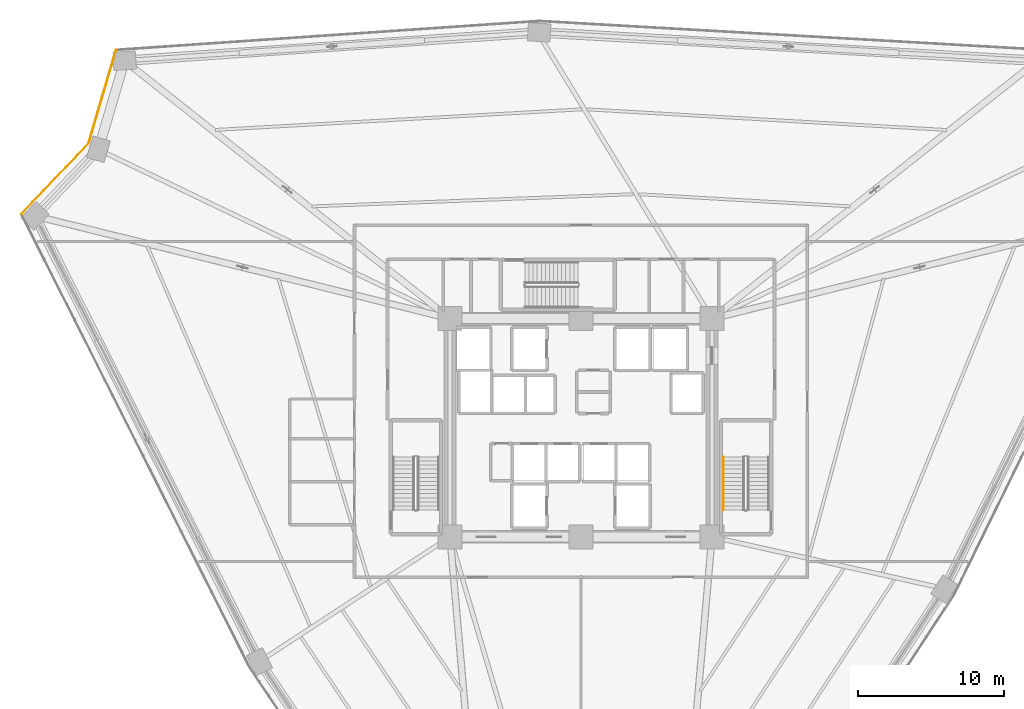
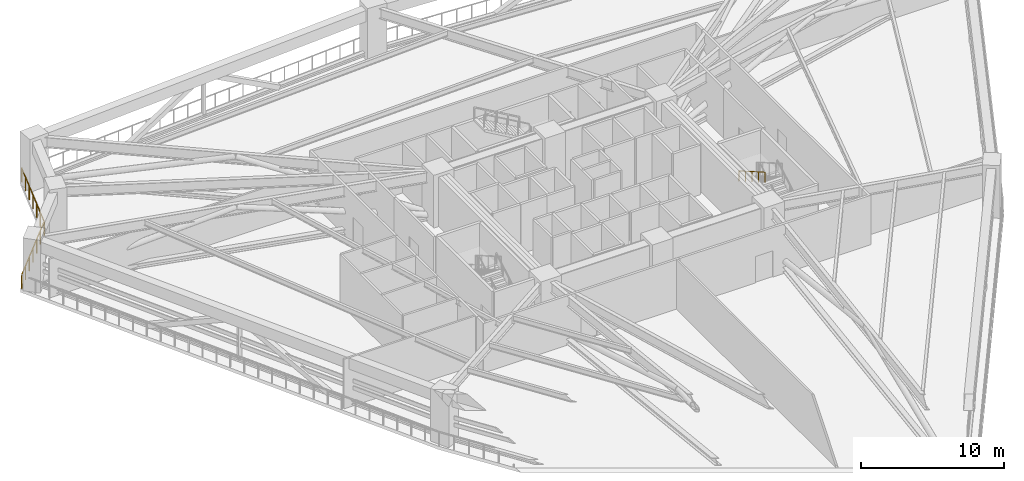
# One storey, part 23 of 25: 3 railings.
"""IFC4 building model written with IfcOpenShell, lengths in metres."""

from ifc_helpers import new_model, si_unit, direction, frame, origin, origin_2d, place, context, subcontext, project, spatial, rectangle, extrude, material, type_object, element, save


model = new_model("IFC4")

# Units and contexts
model_context = context("Model", 3, precision=1e-05, world=origin(), true_north=direction((0.0, 1.0)))
body_context = subcontext(model_context, "Body", "Model", "MODEL_VIEW")
ifc_project = project(units=[si_unit("LENGTHUNIT", "METRE"), si_unit("AREAUNIT", "SQUARE_METRE"), si_unit("VOLUMEUNIT", "CUBIC_METRE"), si_unit("PLANEANGLEUNIT", "RADIAN"), si_unit("MASSUNIT", "GRAM", prefix="KILO")], contexts=[model_context])

# Site, building, storey
site_placement = place(None, origin())
site = spatial("IfcSite", under=ifc_project, at=site_placement, CompositionType="ELEMENT")
building_placement = place(site_placement, origin())
building = spatial("IfcBuilding", under=site, at=building_placement, Name="Liaohun Quay Tower", CompositionType="ELEMENT")
storey_placement = place(building_placement, frame((0.0, 0.0, 93.0)))
storey = spatial("IfcBuildingStorey", under=building, at=storey_placement, Name="L24", CompositionType="ELEMENT", Elevation=93.0)

# Railings
ifc_material_1 = material(Name="Galvanised and powder-coated steel", Category="steel")
railing_type_1 = type_object("IfcRailingType", Name="RLG-GUARD-EXT", PredefinedType="GUARDRAIL", material=ifc_material_1)
railing_1_placement = place(storey_placement, frame((21.548095703125, 68.693115234375, 0.0)))
element("IfcRailing", 1, at=railing_1_placement, inside=storey, type_object=railing_type_1, Name="L24 Open Refuge Band Perimeter Guardrail 03", PredefinedType="GUARDRAIL", context=body_context, shape_type="SweptSolid", body=[
    extrude(rectangle(XDim=0.048095703125, YDim=0.048095703125, at=origin_2d()), frame((0.0, 0.0, 1.17578125), z_axis=(0.68938715047, 0.724393095472, 0.0), x_axis=(-0.724393095472, 0.68938715047, 0.0)), (0.0, 0.0, 1.0), 6.688232421875),
    extrude(rectangle(XDim=0.0419921875, YDim=0.0419921875, at=origin_2d()), origin(), (0.0, 0.0, 1.0), 1.15185546875),
    extrude(rectangle(XDim=0.0419921875, YDim=0.0419921875, at=origin_2d()), frame((0.7685546875, 0.8076171875, 0.0)), (0.0, 0.0, 1.0), 1.15185546875),
    extrude(rectangle(XDim=0.0419921875, YDim=0.0419921875, at=origin_2d()), frame((1.536865234375, 1.614990234375, 0.0)), (0.0, 0.0, 1.0), 1.15185546875),
    extrude(rectangle(XDim=0.0419921875, YDim=0.0419921875, at=origin_2d()), frame((2.305419921875, 2.42236328125, 0.0)), (0.0, 0.0, 1.0), 1.15185546875),
    extrude(rectangle(XDim=0.0419921875, YDim=0.0419921875, at=origin_2d()), frame((3.073974609375, 3.22998046875, 0.0)), (0.0, 0.0, 1.0), 1.15185546875),
    extrude(rectangle(XDim=0.0419921875, YDim=0.0419921875, at=origin_2d()), frame((3.84228515625, 4.03759765625, 0.0)), (0.0, 0.0, 1.0), 1.15185546875),
    extrude(rectangle(XDim=0.0419921875, YDim=0.0419921875, at=origin_2d()), frame((4.61083984375, 4.844970703125, 0.0)), (0.0, 0.0, 1.0), 1.15185546875),
])
railing_2_placement = place(storey_placement, frame((26.158935546875, 73.5380859375, 0.0)))
element("IfcRailing", 2, at=railing_2_placement, inside=storey, type_object=railing_type_1, Name="L24 Open Refuge Band Perimeter Guardrail 04", PredefinedType="GUARDRAIL", context=body_context, shape_type="SweptSolid", body=[
    extrude(rectangle(XDim=0.048095703125, YDim=0.048095703125, at=origin_2d()), frame((0.0, 0.0, 1.17578125), z_axis=(0.282723529941, 0.959201441626, 0.0), x_axis=(-0.959201441626, 0.282723529941, 0.0)), (0.0, 0.0, 1.0), 6.68896484375),
    extrude(rectangle(XDim=0.0419921875, YDim=0.0419921875, at=origin_2d()), origin(), (0.0, 0.0, 1.0), 1.15185546875),
    extrude(rectangle(XDim=0.0419921875, YDim=0.0419921875, at=origin_2d()), frame((0.315185546875, 1.0693359375, 0.0)), (0.0, 0.0, 1.0), 1.15185546875),
    extrude(rectangle(XDim=0.0419921875, YDim=0.0419921875, at=origin_2d()), frame((0.63037109375, 2.138671875, 0.0)), (0.0, 0.0, 1.0), 1.15185546875),
    extrude(rectangle(XDim=0.0419921875, YDim=0.0419921875, at=origin_2d()), frame((0.945556640625, 3.2080078125, 0.0)), (0.0, 0.0, 1.0), 1.15185546875),
    extrude(rectangle(XDim=0.0419921875, YDim=0.0419921875, at=origin_2d()), frame((1.2607421875, 4.27734375, 0.0)), (0.0, 0.0, 1.0), 1.15185546875),
    extrude(rectangle(XDim=0.0419921875, YDim=0.0419921875, at=origin_2d()), frame((1.575927734375, 5.3466796875, 0.0)), (0.0, 0.0, 1.0), 1.15185546875),
    extrude(rectangle(XDim=0.0419921875, YDim=0.0419921875, at=origin_2d()), frame((1.89111328125, 6.416015625, 0.0)), (0.0, 0.0, 1.0), 1.15185546875),
])
ifc_material_2 = material(Name="Brushed stainless steel", Category="steel")
railing_type_2 = type_object("IfcRailingType", Name="RLG-HND-STR", PredefinedType="HANDRAIL", material=ifc_material_2)
railing_3_placement = place(storey_placement, frame((69.800048828125, 51.989990234375, 2.41064453125)))
element("IfcRailing", 3, at=railing_3_placement, inside=storey, type_object=railing_type_2, Name="L24 ST-2 stair handrail 2", PredefinedType="HANDRAIL", context=body_context, shape_type="SweptSolid", body=[
    extrude(rectangle(XDim=0.048095703125, YDim=0.048095703125, at=origin_2d()), frame((0.0, 0.0, 0.8759765625), z_axis=(0.0, -0.8672749571, 0.497829437445), x_axis=(1.0, 0.0, 0.0)), (0.0, 0.0, 1.0), 4.197021484375),
    extrude(rectangle(XDim=0.0419921875, YDim=0.0419921875, at=origin_2d()), origin(), (0.0, 0.0, 1.0), 0.851806640625),
    extrude(rectangle(XDim=0.0419921875, YDim=0.0419921875, at=origin_2d()), frame((0.0, -0.909912109375, 0.5224609375)), (0.0, 0.0, 1.0), 0.851806640625),
    extrude(rectangle(XDim=0.0419921875, YDim=0.0419921875, at=origin_2d()), frame((0.0, -1.81982421875, 1.044677734375)), (0.0, 0.0, 1.0), 0.851806640625),
    extrude(rectangle(XDim=0.0419921875, YDim=0.0419921875, at=origin_2d()), frame((0.0, -2.72998046875, 1.56689453125)), (0.0, 0.0, 1.0), 0.851806640625),
    extrude(rectangle(XDim=0.0419921875, YDim=0.0419921875, at=origin_2d()), frame((0.0, -3.639892578125, 2.08935546875)), (0.0, 0.0, 1.0), 0.851806640625),
])

save(model, "model.ifc")
